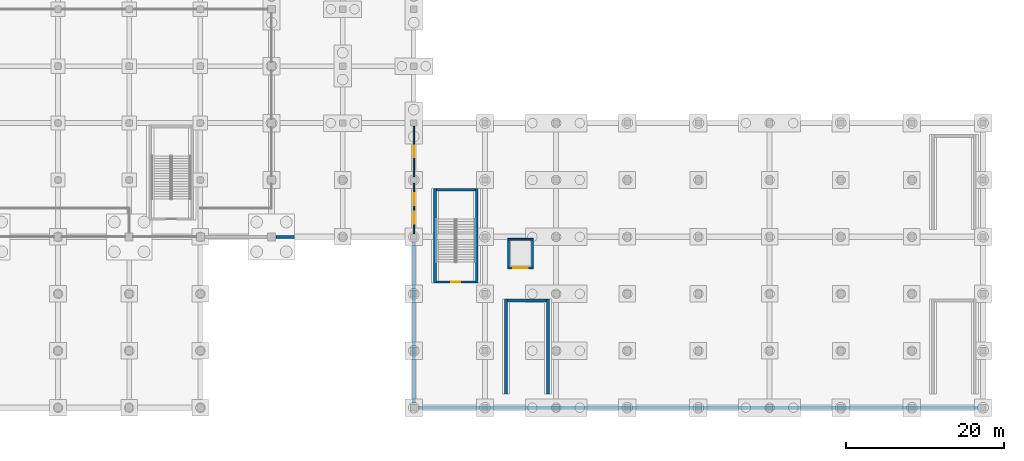
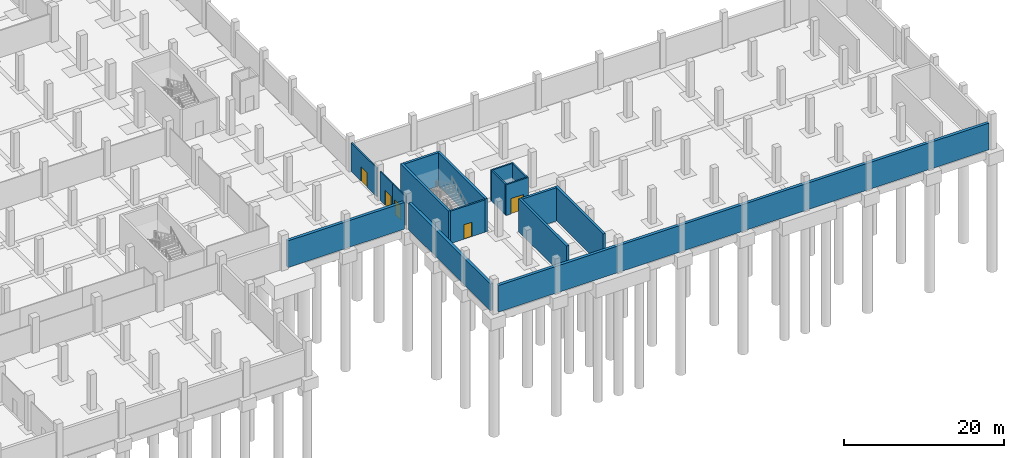
# One storey, part 22 of 39: 17 walls, 5 doors, 5 openings.
"""IFC4 building model written with IfcOpenShell, lengths in metres."""

import ifcopenshell
import ifcopenshell.guid

model = None  # the IFC model being written
_history = None  # IfcOwnerHistory: only IFC2X3 demands one
_inside = {}  # id of a spatial element -> (the spatial element, [elements in it])
_under = {}  # id of a project, library or spatial element -> (it, [spatial elements below it])
_declared = {}  # id of a project -> (the project, [libraries it declares])
_typed = {}  # id of a type object -> (the type object, [elements of that type])
_made_of = {}  # id of a material, layer set ... -> (it, [elements and type objects made of it])


def new_model(schema):
    """Start an empty IFC model of exactly this schema.

    Asked for "IFC4X3", IfcOpenShell would pick the latest addendum, in which some entities
    have other attributes; the version numbers below select the first issue.
    IFC2X3 requires an IfcOwnerHistory on every rooted entity: one is made here for all.
    """
    global model, _history
    if schema == "IFC4X3":
        model = ifcopenshell.file(schema_version=(4, 3, 0, 0))
    else:
        model = ifcopenshell.file(schema=schema)
    _inside.clear()
    _under.clear()
    _declared.clear()
    _typed.clear()
    _made_of.clear()
    _history = None
    if model.schema == "IFC2X3":
        org = make("IfcOrganization", Name="unknown")
        user = make(
            "IfcPersonAndOrganization",
            ThePerson=make("IfcPerson", FamilyName="unknown"),
            TheOrganization=org,
        )
        app = make(
            "IfcApplication",
            ApplicationDeveloper=org,
            Version="unknown",
            ApplicationFullName="unknown",
            ApplicationIdentifier="unknown",
        )
        _history = make(
            "IfcOwnerHistory",
            OwningUser=user,
            OwningApplication=app,
            ChangeAction="ADDED",
            CreationDate=0,
        )
    return model


def make(cls, **values):
    """One entity of the class cls with the attributes given. An attribute that is None is left unset."""
    return model.create_entity(
        cls, **{name: value for name, value in values.items() if value is not None}
    )


def rooted(cls, **values):
    """An entity with a GlobalId (a new one), such as an element, a storey or a relation."""
    return make(cls, GlobalId=ifcopenshell.guid.new(), OwnerHistory=_history, **values)


def si_unit(unit_type, name, prefix=None):
    """IfcSIUnit, for example si_unit("LENGTHUNIT", "METRE", prefix="MILLI")."""
    return make("IfcSIUnit", UnitType=unit_type, Prefix=prefix, Name=name)


def assignment(units):
    """IfcUnitAssignment: the units of a project."""
    return None if units is None else make("IfcUnitAssignment", Units=units)


def point(xyz):
    """IfcCartesianPoint."""
    return None if xyz is None else make("IfcCartesianPoint", Coordinates=xyz)


def direction(xyz):
    """IfcDirection."""
    return None if xyz is None else make("IfcDirection", DirectionRatios=xyz)


def frame(location, z_axis=None, x_axis=None):
    """IfcAxis2Placement3D, a coordinate frame: its origin and axes. An axis left out is left unset."""
    return make(
        "IfcAxis2Placement3D",
        Location=point(location),
        Axis=direction(z_axis),
        RefDirection=direction(x_axis),
    )


def frame_2d(location, x_axis=None):
    """IfcAxis2Placement2D, a coordinate frame in the plane: its origin and x axis."""
    return make(
        "IfcAxis2Placement2D", Location=point(location), RefDirection=direction(x_axis)
    )


def origin():
    """The frame at (0, 0, 0) with its axes left unset."""
    return frame((0.0, 0.0, 0.0))


def place(relative_to, where):
    """IfcLocalPlacement: puts the frame where relative to a parent placement (None: the world)."""
    return make(
        "IfcLocalPlacement", PlacementRelTo=relative_to, RelativePlacement=where
    )


def context(
    kind, dimensions, precision=None, world=None, true_north=None, identifier=None
):
    """IfcGeometricRepresentationContext, for example the 3D "Model" context."""
    return make(
        "IfcGeometricRepresentationContext",
        ContextIdentifier=identifier,
        ContextType=kind,
        CoordinateSpaceDimension=dimensions,
        Precision=precision,
        WorldCoordinateSystem=world,
        TrueNorth=true_north,
    )


def subcontext(parent, identifier, kind, view, scale=None):
    """IfcGeometricRepresentationSubContext, for example "Body" below "Model"."""
    return make(
        "IfcGeometricRepresentationSubContext",
        ContextIdentifier=identifier,
        ContextType=kind,
        ParentContext=parent,
        TargetScale=scale,
        TargetView=view,
    )


def project(units=None, contexts=None):
    """IfcProject with its units and contexts."""
    return rooted(
        "IfcProject",
        Name="project",
        RepresentationContexts=contexts,
        UnitsInContext=assignment(units),
    )


def spatial(cls, under=None, at=None, **own):
    """A site, building, storey or space (cls), placed at a placement, below another one or the project."""
    s = rooted(cls, ObjectPlacement=at, **own)
    if under is not None:
        _under.setdefault(under.id(), (under, []))[1].append(s)
    return s


def profile(cls, at=None, kind="AREA", **sizes):
    """A parametric profile (cls). Its sizes go by their IFC names, for example OverallWidth=200.0."""
    return make(cls, ProfileType=kind, Position=at, **sizes)


def rectangle(**sizes):
    """IfcRectangleProfileDef."""
    return profile("IfcRectangleProfileDef", **sizes)


def extrude(swept, where, along, depth):
    """IfcExtrudedAreaSolid: the profile swept, set in the frame where, extruded along a direction by depth."""
    return make(
        "IfcExtrudedAreaSolid",
        SweptArea=swept,
        Position=where,
        ExtrudedDirection=direction(along),
        Depth=depth,
    )


def shape(context_of_items, identifier, shape_type, items):
    """IfcShapeRepresentation: the items that make up one representation, for example the "Body"."""
    return make(
        "IfcShapeRepresentation",
        ContextOfItems=context_of_items,
        RepresentationIdentifier=identifier,
        RepresentationType=shape_type,
        Items=items,
    )


def material(Name=None, Category=None):
    """IfcMaterial."""
    return make("IfcMaterial", Name=Name, Category=Category)


def layer(
    of_material, thickness, ventilated=None, Name=None, Category=None, Priority=None
):
    """IfcMaterialLayer: one layer of a wall or slab, of a material (None: an air gap)."""
    return make(
        "IfcMaterialLayer",
        Material=of_material,
        LayerThickness=thickness,
        IsVentilated=ventilated,
        Name=Name,
        Category=Category,
        Priority=Priority,
    )


def layer_set(layers, Name=None):
    """IfcMaterialLayerSet."""
    return make("IfcMaterialLayerSet", MaterialLayers=layers, LayerSetName=Name)


def made_of(thing, what):
    """Note that an element or type object is made of a material, layer set ...; save() writes the relation."""
    if what is not None:
        _made_of.setdefault(what.id(), (what, []))[1].append(thing)
    return thing


def type_object(cls, material=None, **own):
    """A type object (cls), such as IfcWallType, which elements share."""
    return made_of(rooted(cls, **own), material)


def element(
    cls,
    number,
    at=None,
    inside=None,
    cuts=None,
    type_object=None,
    material=None,
    context=None,
    identifier="Body",
    shape_type=None,
    held_by="IfcProductDefinitionShape",
    body=None,
    shapes=None,
    **own,
):
    """One element of the class cls, such as IfcWall. Its Tag is "e" and its number.

    at: its placement. inside: the storey or other place that contains it. cuts: it is an
    opening in that element (IfcRelVoidsElement). A single representation is given by context,
    identifier, shape_type and body (its items); several are given by shapes. held_by: the class
    of the entity that holds the representations. save() writes the other relations.
    """
    e = rooted(cls, Tag="e%d" % number, ObjectPlacement=at, **own)
    if body is not None:
        shapes = [shape(context, identifier, shape_type, body)]
    if shapes is not None:
        e.Representation = make(held_by, Representations=shapes)
    if inside is not None:
        _inside.setdefault(inside.id(), (inside, []))[1].append(e)
    if cuts is not None:
        rooted(
            "IfcRelVoidsElement", RelatingBuildingElement=cuts, RelatedOpeningElement=e
        )
    if type_object is not None:
        _typed.setdefault(type_object.id(), (type_object, []))[1].append(e)
    return made_of(e, material)


def fill(opening, filler):
    """IfcRelFillsElement: the door or window that sits in an opening."""
    return rooted(
        "IfcRelFillsElement",
        RelatingOpeningElement=opening,
        RelatedBuildingElement=filler,
    )


def aggregate(whole, parts):
    """IfcRelAggregates: a whole, such as a stair, and the parts it consists of."""
    return rooted("IfcRelAggregates", RelatingObject=whole, RelatedObjects=parts)


def save(model, path):
    """Write the relations noted so far, then the file.

    IfcRelAggregates (storeys below a building ...), IfcRelContainedInSpatialStructure (elements
    in a storey), IfcRelDefinesByType, IfcRelAssociatesMaterial and IfcRelDeclares: one each for
    every whole, place, type object, material and project.
    """
    for whole, parts in _under.values():
        aggregate(whole, parts)
    for where, things in _inside.values():
        rooted(
            "IfcRelContainedInSpatialStructure",
            RelatedElements=things,
            RelatingStructure=where,
        )
    for kind, things in _typed.values():
        rooted("IfcRelDefinesByType", RelatedObjects=things, RelatingType=kind)
    for what, things in _made_of.values():
        rooted("IfcRelAssociatesMaterial", RelatedObjects=things, RelatingMaterial=what)
    for by, libraries in _declared.values():
        rooted("IfcRelDeclares", RelatingContext=by, RelatedDefinitions=libraries)
    model.write(path)


model = new_model("IFC4")

# Units and contexts
model_context = context("Model", 3, precision=1e-05, world=origin(), true_north=direction((0.0, 1.0)))
body_context = subcontext(model_context, "Body", "Model", "MODEL_VIEW")
ifc_project = project(units=[si_unit("LENGTHUNIT", "METRE"), si_unit("AREAUNIT", "SQUARE_METRE"), si_unit("VOLUMEUNIT", "CUBIC_METRE"), si_unit("PLANEANGLEUNIT", "RADIAN"), si_unit("MASSUNIT", "GRAM", prefix="KILO")], contexts=[model_context])

# Site, building, storey
site_placement = place(None, origin())
site = spatial("IfcSite", under=ifc_project, at=site_placement, CompositionType="ELEMENT")
building_placement = place(site_placement, origin())
building = spatial("IfcBuilding", under=site, at=building_placement, Name="Celestram Park Convention Centre", CompositionType="ELEMENT")
storey_placement = place(building_placement, frame((0.0, 0.0, -5.39990234375)))
storey = spatial("IfcBuildingStorey", under=building, at=storey_placement, Name="B1", CompositionType="ELEMENT", Elevation=-5.39990234375)

# Wall, opening, door
ifc_material_1 = material(Name="Concrete Block Masonry C25/30", Category="masonry")
ifc_layer_1 = layer(ifc_material_1, 0.25)
ifc_layer_set_1 = layer_set([ifc_layer_1], Name="Concrete Block Masonry C25/30")
wall_type_1 = type_object("IfcWallType", Name="ARC-WL-COR250", PredefinedType="STANDARD", material=ifc_layer_set_1)
wall_1_placement = place(storey_placement, frame((146.840087890625, 15.875, 0.0), z_axis=(0.0, 0.0, 1.0), x_axis=(1.0, 0.0, 0.0)))
wall_1 = element("IfcWall", 1, at=wall_1_placement, inside=storey, type_object=wall_type_1, Name="Core C6 stair entrance wall", PredefinedType="STANDARD", context=body_context, shape_type="SweptSolid", body=[
    extrude(rectangle(XDim=4.9599609375, YDim=0.25, at=frame_2d((2.47998046875, 0.0))), origin(), (0.0, 0.0, 1.0), 4.949951171875),
])
opening_1_placement = place(wall_1_placement, frame((1.905029296875, 0.0, 0.0)))
opening_1 = element("IfcOpeningElement", 2, at=opening_1_placement, cuts=wall_1, Name="Opening D-ST1", PredefinedType="OPENING", context=body_context, shape_type="SweptSolid", body=[
    extrude(rectangle(XDim=1.14990234375, YDim=2.199951171875, at=frame_2d((0.574951171875, 1.10009765625))), frame((0.0, 0.135009765625, 0.0), z_axis=(0.0, -1.0, 0.0), x_axis=(1.0, 0.0, 0.0)), (0.0, 0.0, 1.0), 0.27001953125),
])
ifc_material_2 = material(Name="Fire-Rated Hollow Metal Steel ASTM A653", Category="steel")
door_type_1 = type_object("IfcDoorType", Name="ARC-DR-ST115", OperationType="NOTDEFINED", PredefinedType="DOOR", material=ifc_material_2)
door_1_placement = place(opening_1_placement, origin())
door_1 = element("IfcDoor", 3, at=door_1_placement, inside=storey, type_object=door_type_1, Name="Exit stair ST-06 fire door", OperationType="SINGLE_SWING_LEFT", OverallHeight=2.199951171875, OverallWidth=1.14990234375, PredefinedType="DOOR", context=body_context, shape_type="SweptSolid", body=[
    extrude(rectangle(XDim=1.14990234375, YDim=2.199951171875, at=frame_2d((0.574951171875, 1.10009765625))), frame((0.0, 0.02490234375, 0.0), z_axis=(0.0, -1.0, 0.0), x_axis=(1.0, 0.0, 0.0)), (0.0, 0.0, 1.0), 0.050048828125),
])
fill(opening_1, door_1)

ifc_material_3 = material(Name="Fire-Rated Gypsum & Steel Stud 180 mm", Category="steel")
ifc_layer_2 = layer(ifc_material_3, 0.179931640625)
ifc_layer_set_2 = layer_set([ifc_layer_2], Name="Fire-Rated Gypsum & Steel Stud 180 mm")
wall_type_2 = type_object("IfcWallType", Name="ARC-WL-PRT180", PredefinedType="PARTITIONING", material=ifc_layer_set_2)
wall_2_placement = place(storey_placement, frame((144.0, 21.998046875, 0.0), z_axis=(0.0, 0.0, 1.0), x_axis=(0.0, 1.0, 0.0)))
wall_2 = element("IfcWall", 4, at=wall_2_placement, inside=storey, type_object=wall_type_2, Name="Interior partition WL-B1-IN0531", PredefinedType="PARTITIONING", context=body_context, shape_type="SweptSolid", body=[
    extrude(rectangle(XDim=3.201904296875, YDim=0.179931640625, at=frame_2d((1.60107421875, 0.0))), origin(), (0.0, 0.0, 1.0), 4.39697265625),
])
opening_2_placement = place(wall_2_placement, frame((1.276611328125, 0.0, 0.0)))
opening_2 = element("IfcOpeningElement", 5, at=opening_2_placement, cuts=wall_2, Name="Opening D-09", PredefinedType="OPENING", context=body_context, shape_type="SweptSolid", body=[
    extrude(rectangle(XDim=1.5, YDim=2.25, at=frame_2d((0.75, 1.125))), frame((0.0, 0.099853515625, 0.0), z_axis=(0.0, -1.0, 0.0), x_axis=(1.0, 0.0, 0.0)), (0.0, 0.0, 1.0), 0.199951171875),
])
ifc_material_4 = material(Name="Galvanised Hollow Metal Plant Double Door", Category="steel")
door_type_2 = type_object("IfcDoorType", Name="ARC-DR-PLT150", OperationType="NOTDEFINED", PredefinedType="DOOR", material=ifc_material_4)
door_2_placement = place(opening_2_placement, origin())
door_2 = element("IfcDoor", 6, at=door_2_placement, inside=storey, type_object=door_type_2, Name="Banquet Beverage Cellar & AHU Plant entrance door", OperationType="DOUBLE_DOOR_SINGLE_SWING", OverallHeight=2.25, OverallWidth=1.5, PredefinedType="DOOR", context=body_context, shape_type="SweptSolid", body=[
    extrude(rectangle(XDim=1.5, YDim=2.25, at=frame_2d((0.75, 1.125))), frame((0.0, 0.02490234375, 0.0), z_axis=(0.0, -1.0, 0.0), x_axis=(1.0, 0.0, 0.0)), (0.0, 0.0, 1.0), 0.050048828125),
])
fill(opening_2, door_2)

wall_3_placement = place(storey_placement, frame((144.0, 25.199951171875, 0.0), z_axis=(0.0, 0.0, 1.0), x_axis=(0.0, 1.0, 0.0)))
wall_3 = element("IfcWall", 7, at=wall_3_placement, inside=storey, type_object=wall_type_2, Name="Interior partition WL-B1-IN0532", PredefinedType="PARTITIONING", context=body_context, shape_type="SweptSolid", body=[
    extrude(rectangle(XDim=3.2021484375, YDim=0.179931640625, at=frame_2d((1.60107421875, 0.0))), origin(), (0.0, 0.0, 1.0), 4.39697265625),
])
opening_3_placement = place(wall_3_placement, frame((0.425537109375, 0.0, 0.0)))
opening_3 = element("IfcOpeningElement", 8, at=opening_3_placement, cuts=wall_3, Name="Opening D-09", PredefinedType="OPENING", context=body_context, shape_type="SweptSolid", body=[
    extrude(rectangle(XDim=1.5, YDim=2.25, at=frame_2d((0.75, 1.125))), frame((0.0, 0.099853515625, 0.0), z_axis=(0.0, -1.0, 0.0), x_axis=(1.0, 0.0, 0.0)), (0.0, 0.0, 1.0), 0.199951171875),
])
door_3_placement = place(opening_3_placement, origin())
door_3 = element("IfcDoor", 9, at=door_3_placement, inside=storey, type_object=door_type_2, Name="Banquet Beverage Cellar & AHU Plant entrance door", OperationType="DOUBLE_DOOR_SINGLE_SWING", OverallHeight=2.25, OverallWidth=1.5, PredefinedType="DOOR", context=body_context, shape_type="SweptSolid", body=[
    extrude(rectangle(XDim=1.5, YDim=2.25, at=frame_2d((0.75, 1.125))), frame((0.0, 0.02490234375, 0.0), z_axis=(0.0, -1.0, 0.0), x_axis=(1.0, 0.0, 0.0)), (0.0, 0.0, 1.0), 0.050048828125),
])
fill(opening_3, door_3)

wall_4_placement = place(storey_placement, frame((144.0, 29.197998046875, 0.0), z_axis=(0.0, 0.0, 1.0), x_axis=(0.0, 1.0, 0.0)))
wall_4 = element("IfcWall", 10, at=wall_4_placement, inside=storey, type_object=wall_type_2, Name="Interior partition WL-B1-IN0533", PredefinedType="PARTITIONING", context=body_context, shape_type="SweptSolid", body=[
    extrude(rectangle(XDim=6.404052734375, YDim=0.179931640625, at=frame_2d((3.2021484375, 0.0))), origin(), (0.0, 0.0, 1.0), 4.39697265625),
])
opening_4_placement = place(wall_4_placement, frame((2.451904296875, 0.0, 0.0)))
opening_4 = element("IfcOpeningElement", 11, at=opening_4_placement, cuts=wall_4, Name="Opening D-09", PredefinedType="OPENING", context=body_context, shape_type="SweptSolid", body=[
    extrude(rectangle(XDim=1.5, YDim=2.25, at=frame_2d((0.75, 1.125))), frame((0.0, 0.099853515625, 0.0), z_axis=(0.0, -1.0, 0.0), x_axis=(1.0, 0.0, 0.0)), (0.0, 0.0, 1.0), 0.199951171875),
])
door_4_placement = place(opening_4_placement, origin())
door_4 = element("IfcDoor", 12, at=door_4_placement, inside=storey, type_object=door_type_2, Name="Banquet Beverage Cellar & AHU Plant entrance door", OperationType="DOUBLE_DOOR_SINGLE_SWING", OverallHeight=2.25, OverallWidth=1.5, PredefinedType="DOOR", context=body_context, shape_type="SweptSolid", body=[
    extrude(rectangle(XDim=1.5, YDim=2.25, at=frame_2d((0.75, 1.125))), frame((0.0, 0.02490234375, 0.0), z_axis=(0.0, -1.0, 0.0), x_axis=(1.0, 0.0, 0.0)), (0.0, 0.0, 1.0), 0.050048828125),
])
fill(opening_4, door_4)

ifc_layer_3 = layer(ifc_material_1, 0.219970703125)
ifc_layer_set_3 = layer_set([ifc_layer_3], Name="Concrete Block Masonry C25/30")
wall_type_3 = type_object("IfcWallType", Name="ARC-WL-SHF220", PredefinedType="STANDARD", material=ifc_layer_set_3)
wall_5_placement = place(storey_placement, frame((155.8701171875, 17.679931640625, 0.0), z_axis=(0.0, 0.0, 1.0), x_axis=(1.0, 0.0, 0.0)))
wall_5 = element("IfcWall", 13, at=wall_5_placement, inside=storey, type_object=wall_type_3, Name="Lift LG-02 shaft wall S", PredefinedType="STANDARD", context=body_context, shape_type="SweptSolid", body=[
    extrude(rectangle(XDim=3.259765625, YDim=0.219970703125, at=frame_2d((1.6298828125, 0.0))), origin(), (0.0, 0.0, 1.0), 4.706787109375),
])
opening_5_placement = place(wall_5_placement, frame((0.72998046875, 0.0, 0.0)))
opening_5 = element("IfcOpeningElement", 14, at=opening_5_placement, cuts=wall_5, Name="Opening LD-02", PredefinedType="OPENING", context=body_context, shape_type="SweptSolid", body=[
    extrude(rectangle(XDim=1.800048828125, YDim=2.35009765625, at=frame_2d((0.89990234375, 1.175048828125))), frame((0.0, 0.119873046875, 0.0), z_axis=(0.0, -1.0, 0.0), x_axis=(1.0, 0.0, 0.0)), (0.0, 0.0, 1.0), 0.239990234375),
])
ifc_material_5 = material(Name="Heavy-Duty Stainless Steel AISI 304", Category="steel")
door_type_3 = type_object("IfcDoorType", Name="ARC-DR-LFG180", OperationType="NOTDEFINED", PredefinedType="DOOR", material=ifc_material_5)
door_5_placement = place(opening_5_placement, origin())
door_5 = element("IfcDoor", 15, at=door_5_placement, inside=storey, type_object=door_type_3, Name="Lift LG-02 sliding landing door", OperationType="DOUBLE_DOOR_SLIDING", OverallHeight=2.35009765625, OverallWidth=1.800048828125, PredefinedType="DOOR", context=body_context, shape_type="SweptSolid", body=[
    extrude(rectangle(XDim=1.800048828125, YDim=2.35009765625, at=frame_2d((0.89990234375, 1.175048828125))), frame((0.0, 0.02490234375, 0.0), z_axis=(0.0, -1.0, 0.0), x_axis=(1.0, 0.0, 0.0)), (0.0, 0.0, 1.0), 0.050048828125),
])
fill(opening_5, door_5)

# Walls
wall_6_placement = place(storey_placement, frame((159.1298828125, 21.320068359375, 0.0), z_axis=(0.0, 0.0, 1.0), x_axis=(-1.0, 0.0, 0.0)))
element("IfcWall", 16, at=wall_6_placement, inside=storey, type_object=wall_type_3, Name="Lift LG-02 shaft wall N", PredefinedType="STANDARD", context=body_context, shape_type="SweptSolid", body=[
    extrude(rectangle(XDim=3.259765625, YDim=0.219970703125, at=frame_2d((1.6298828125, 0.0))), origin(), (0.0, 0.0, 1.0), 4.706787109375),
])
for number, where, z_axis, x_axis, name in (
    (17, (155.97998046875, 21.2099609375, 0.0), (0.0, 0.0, 1.0), (0.0, -1.0, 0.0), "Lift LG-02 shaft wall W"),
    (18, (159.02001953125, 17.7900390625, 0.0), (0.0, 0.0, 1.0), (0.0, 1.0, 0.0), "Lift LG-02 shaft wall E"),
):
    element("IfcWall", number, at=place(storey_placement, frame(where, z_axis=z_axis, x_axis=x_axis)), inside=storey, type_object=wall_type_3, Name=name, PredefinedType="STANDARD", context=body_context, shape_type="SweptSolid", body=[
        extrude(rectangle(XDim=3.419921875, YDim=0.219970703125, at=frame_2d((1.7099609375, 0.0))), origin(), (0.0, 0.0, 1.0), 4.706787109375),
    ])
ifc_material_6 = material(Name="Concrete C40/50", Category="concrete")
ifc_layer_4 = layer(ifc_material_6, 0.419921875)
ifc_layer_set_4 = layer_set([ifc_layer_4], Name="Concrete C40/50")
wall_type_4 = type_object("IfcWallType", Name="STR-WL-RET420", PredefinedType="USERDEFINED", material=ifc_layer_set_4)
wall_7_placement = place(storey_placement, frame((215.449951171875, 0.0, 0.0), z_axis=(0.0, 0.0, 1.0), x_axis=(-1.0, 0.0, 0.0)))
element("IfcWall", 19, at=wall_7_placement, inside=storey, type_object=wall_type_4, Name="Basement retaining wall WL-B1-RET15", ObjectType="RETAININGWALL", PredefinedType="USERDEFINED", context=body_context, shape_type="SweptSolid", body=[
    extrude(rectangle(XDim=70.89990234375, YDim=0.419921875, at=frame_2d((35.449951171875, 0.0))), origin(), (0.0, 0.0, 1.0), 4.079833984375),
])
wall_8_placement = place(storey_placement, frame((144.0, 0.550048828125, 0.0), z_axis=(0.0, 0.0, 1.0), x_axis=(0.0, 1.0, 0.0)))
element("IfcWall", 20, at=wall_8_placement, inside=storey, type_object=wall_type_4, Name="Basement retaining wall WL-B1-RET16", ObjectType="RETAININGWALL", PredefinedType="USERDEFINED", context=body_context, shape_type="SweptSolid", body=[
    extrude(rectangle(XDim=20.5, YDim=0.419921875, at=frame_2d((10.25, 0.0))), origin(), (0.0, 0.0, 1.0), 4.079833984375),
])
wall_9_placement = place(storey_placement, frame((143.449951171875, 21.60009765625, 0.0), z_axis=(0.0, 0.0, 1.0), x_axis=(-1.0, 0.0, 0.0)))
element("IfcWall", 21, at=wall_9_placement, inside=storey, type_object=wall_type_4, Name="Basement retaining wall WL-B1-RET17", ObjectType="RETAININGWALL", PredefinedType="USERDEFINED", context=body_context, shape_type="SweptSolid", body=[
    extrude(rectangle(XDim=16.89990234375, YDim=0.419921875, at=frame_2d((8.449951171875, 0.0))), origin(), (0.0, 0.0, 1.0), 4.079833984375),
])
ifc_layer_5 = layer(ifc_material_6, 0.340087890625)
ifc_layer_set_5 = layer_set([ifc_layer_5], Name="Concrete C40/50")
wall_type_5 = type_object("IfcWallType", Name="STR-WL-SHR340", PredefinedType="SHEAR", material=ifc_layer_set_5)
for number, where, z_axis, x_axis, name in (
    (22, (146.669921875, 15.75, 0.0), (0.0, 0.0, 1.0), (0.0, 1.0, 0.0), "Core C6 shear wall L"),
    (23, (151.969970703125, 27.739990234375, 0.0), (0.0, 0.0, 1.0), (0.0, -1.0, 0.0), "Core C6 shear wall R"),
):
    element("IfcWall", number, at=place(storey_placement, frame(where, z_axis=z_axis, x_axis=x_axis)), inside=storey, type_object=wall_type_5, Name=name, PredefinedType="SHEAR", context=body_context, shape_type="SweptSolid", body=[
        extrude(rectangle(XDim=11.989990234375, YDim=0.340087890625, at=frame_2d((5.9951171875, 0.0))), origin(), (0.0, 0.0, 1.0), 5.079833984375),
    ])
wall_10_placement = place(storey_placement, frame((146.840087890625, 27.570068359375, 0.0), z_axis=(0.0, 0.0, 1.0), x_axis=(1.0, 0.0, 0.0)))
element("IfcWall", 24, at=wall_10_placement, inside=storey, type_object=wall_type_5, Name="Core C6 shear wall F", PredefinedType="SHEAR", context=body_context, shape_type="SweptSolid", body=[
    extrude(rectangle(XDim=4.9599609375, YDim=0.340087890625, at=frame_2d((2.47998046875, 0.0))), origin(), (0.0, 0.0, 1.0), 5.079833984375),
])
for number, where, z_axis, x_axis, name in (
    (25, (155.669921875, 1.75, 0.0), (0.0, 0.0, 1.0), (0.0, 1.0, 0.0), "Core S21 shear wall L"),
    (26, (160.969970703125, 13.739990234375, 0.0), (0.0, 0.0, 1.0), (0.0, -1.0, 0.0), "Core S21 shear wall R"),
):
    element("IfcWall", number, at=place(storey_placement, frame(where, z_axis=z_axis, x_axis=x_axis)), inside=storey, type_object=wall_type_5, Name=name, PredefinedType="SHEAR", context=body_context, shape_type="SweptSolid", body=[
        extrude(rectangle(XDim=11.989990234375, YDim=0.340087890625, at=frame_2d((5.9951171875, 0.0))), origin(), (0.0, 0.0, 1.0), 5.079833984375),
    ])
wall_11_placement = place(storey_placement, frame((155.840087890625, 13.570068359375, 0.0), z_axis=(0.0, 0.0, 1.0), x_axis=(1.0, 0.0, 0.0)))
element("IfcWall", 27, at=wall_11_placement, inside=storey, type_object=wall_type_5, Name="Core S21 shear wall F", PredefinedType="SHEAR", context=body_context, shape_type="SweptSolid", body=[
    extrude(rectangle(XDim=4.9599609375, YDim=0.340087890625, at=frame_2d((2.47998046875, 0.0))), origin(), (0.0, 0.0, 1.0), 5.079833984375),
])

save(model, "model.ifc")
